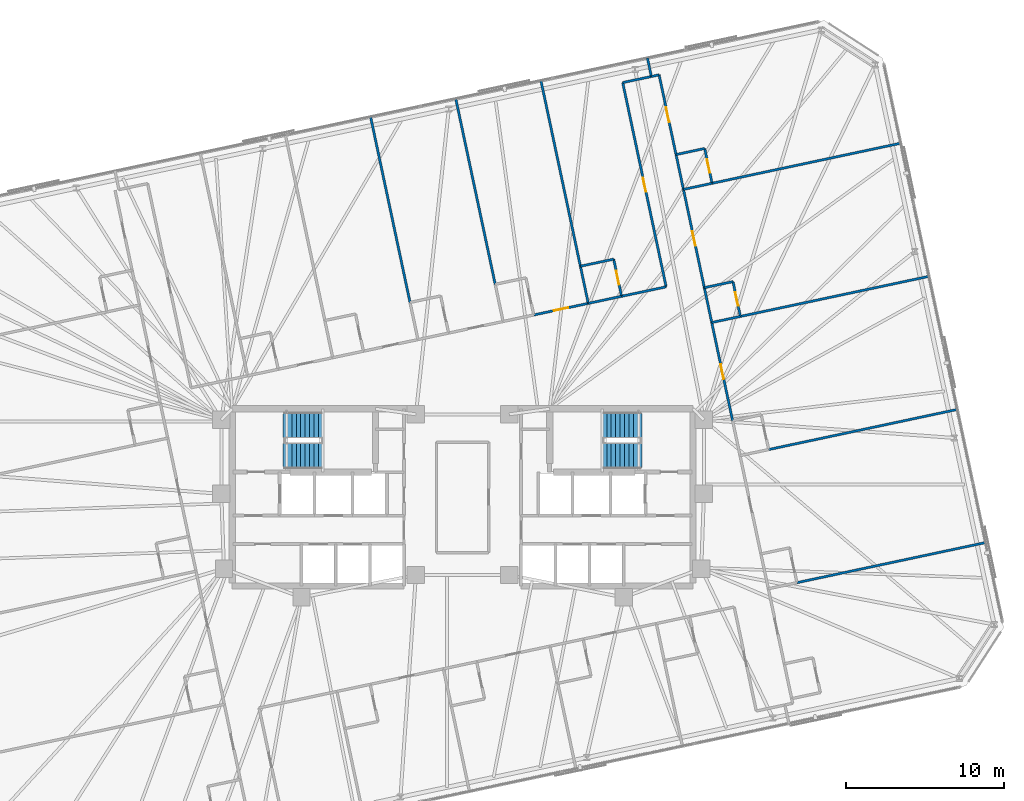
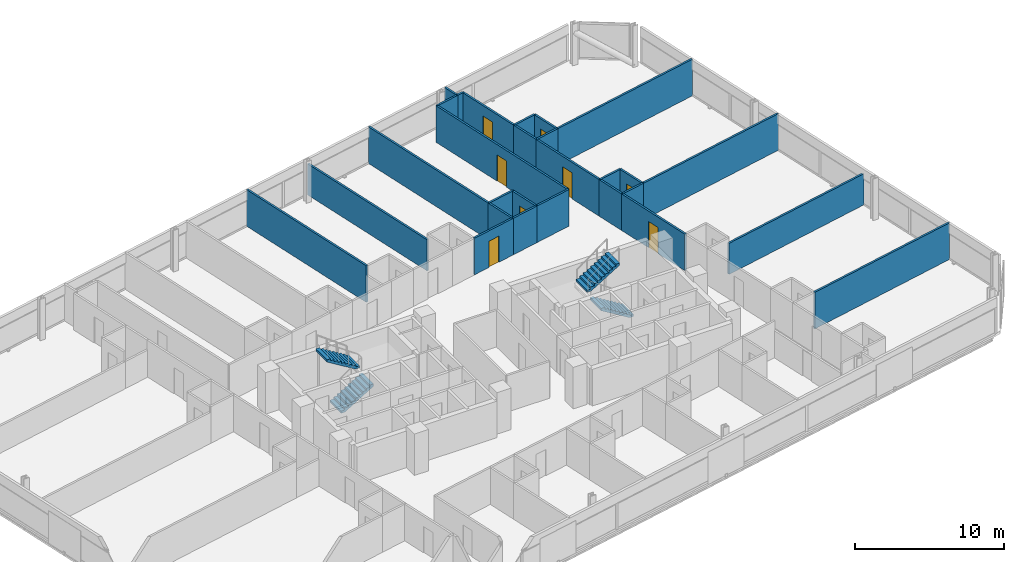
# One storey, part 18 of 20: 28 walls, 8 doors, 4 stair flights, 8 openings, 2 elements without a shape of their own.
"""IFC4 building model written with IfcOpenShell, lengths in metres."""

from ifc_helpers import new_model, si_unit, direction, frame, frame_2d, origin, place, context, subcontext, project, spatial, polyline, rectangle, outline, extrude, material, layer, layer_set, type_object, element, fill, aggregate, save


model = new_model("IFC4")

# Units and contexts
model_context = context("Model", 3, precision=1e-05, world=origin(), true_north=direction((0.0, 1.0)))
body_context = subcontext(model_context, "Body", "Model", "MODEL_VIEW")
ifc_project = project(units=[si_unit("LENGTHUNIT", "METRE"), si_unit("AREAUNIT", "SQUARE_METRE"), si_unit("VOLUMEUNIT", "CUBIC_METRE"), si_unit("PLANEANGLEUNIT", "RADIAN"), si_unit("MASSUNIT", "GRAM", prefix="KILO")], contexts=[model_context])

# Site, building, storey
site_placement = place(None, origin())
site = spatial("IfcSite", under=ifc_project, at=site_placement, CompositionType="ELEMENT")
building_placement = place(site_placement, origin())
building = spatial("IfcBuilding", under=site, at=building_placement, Name="Menara Jurai Vektor", CompositionType="ELEMENT")
storey_placement = place(building_placement, frame((0.0, 0.0, 199.0)))
storey = spatial("IfcBuildingStorey", under=building, at=storey_placement, Name="L52", CompositionType="ELEMENT", Elevation=199.0)

# Wall, opening, door
ifc_material_1 = material(Name="Gypsum Fireboard Partition", Category="gypsum")
ifc_layer_1 = layer(ifc_material_1, 0.14990234375)
ifc_layer_set_1 = layer_set([ifc_layer_1], Name="Gypsum Fireboard Partition")
wall_type_1 = type_object("IfcWallType", Name="INT-WALL-CORR-150", PredefinedType="PARTITIONING", material=ifc_layer_set_1)
wall_1_placement = place(storey_placement, frame((4.497802734375, 11.52978515625, 0.0), z_axis=(0.0, 0.0, 1.0), x_axis=(0.978135941404, 0.207966536089, 0.0)))
wall_1 = element("IfcWall", 1, at=wall_1_placement, inside=storey, type_object=wall_type_1, Name="Interior Wall IW-150 L52", PredefinedType="PARTITIONING", context=body_context, shape_type="SweptSolid", body=[
    extrude(rectangle(XDim=3.521728515625, YDim=0.14990234375, at=frame_2d((1.7607421875, 0.0))), origin(), (0.0, 0.0, 1.0), 3.0),
])
opening_1_placement = place(wall_1_placement, frame((1.301025390625, 0.0, 0.0)))
opening_1 = element("IfcOpeningElement", 2, at=opening_1_placement, cuts=wall_1, Name="Opening D52-14", PredefinedType="OPENING", context=body_context, shape_type="SweptSolid", body=[
    extrude(rectangle(XDim=0.919921875, YDim=2.14990234375, at=frame_2d((0.4599609375, 1.074951171875))), frame((0.0, 0.0849609375, 0.0), z_axis=(0.0, -1.0, 0.0), x_axis=(1.0, 0.0, 0.0)), (0.0, 0.0, 1.0), 0.169921875),
])
ifc_material_2 = material(Name="Solid Core Timber Fire Door", Category="wood")
door_type_1 = type_object("IfcDoorType", Name="DR-ENTRY-950", OperationType="NOTDEFINED", PredefinedType="DOOR", material=ifc_material_2)
door_1_placement = place(opening_1_placement, origin())
door_1 = element("IfcDoor", 3, at=door_1_placement, inside=storey, type_object=door_type_1, Name="Interior Door D52-14", OperationType="SINGLE_SWING_LEFT", OverallHeight=2.14990234375, OverallWidth=0.919921875, PredefinedType="DOOR", context=body_context, shape_type="SweptSolid", body=[
    extrude(rectangle(XDim=0.919921875, YDim=2.14990234375, at=frame_2d((0.4599609375, 1.074951171875))), frame((0.0, 0.02490234375, 0.0), z_axis=(0.0, -1.0, 0.0), x_axis=(1.0, 0.0, 0.0)), (0.0, 0.0, 1.0), 0.050048828125),
])
fill(opening_1, door_1)

# Wall
wall_2_placement = place(storey_placement, frame((10.045654296875, 12.709228515625, 0.0), z_axis=(0.0, 0.0, 1.0), x_axis=(0.97816208355, 0.207843542851, 0.0)))
element("IfcWall", 4, at=wall_2_placement, inside=storey, type_object=wall_type_1, Name="Interior Wall IW-150 L52", PredefinedType="PARTITIONING", context=body_context, shape_type="SweptSolid", body=[
    extrude(rectangle(XDim=2.879150390625, YDim=0.14990234375, at=frame_2d((1.439453125, 0.0))), origin(), (0.0, 0.0, 1.0), 3.0),
])

# Wall, opening, door
wall_3_placement = place(storey_placement, frame((12.86181640625, 13.3076171875, 0.0), z_axis=(0.0, 0.0, 1.0), x_axis=(-0.207911421929, 0.978147657888, 0.0)))
wall_3 = element("IfcWall", 5, at=wall_3_placement, inside=storey, type_object=wall_type_1, Name="Interior Wall IW-150 L52", PredefinedType="PARTITIONING", context=body_context, shape_type="SweptSolid", body=[
    extrude(rectangle(XDim=13.195068359375, YDim=0.14990234375, at=frame_2d((6.59765625, 0.0))), origin(), (0.0, 0.0, 1.0), 3.0),
])
opening_2_placement = place(wall_3_placement, frame((6.137451171875, 0.0, 0.0)))
opening_2 = element("IfcOpeningElement", 6, at=opening_2_placement, cuts=wall_3, Name="Opening D52-16", PredefinedType="OPENING", context=body_context, shape_type="SweptSolid", body=[
    extrude(rectangle(XDim=0.919921875, YDim=2.14990234375, at=frame_2d((0.4599609375, 1.074951171875))), frame((0.0, 0.0849609375, 0.0), z_axis=(0.0, -1.0, 0.0), x_axis=(1.0, 0.0, 0.0)), (0.0, 0.0, 1.0), 0.169921875),
])
door_2_placement = place(opening_2_placement, origin())
door_2 = element("IfcDoor", 7, at=door_2_placement, inside=storey, type_object=door_type_1, Name="Interior Door D52-16", OperationType="SINGLE_SWING_LEFT", OverallHeight=2.14990234375, OverallWidth=0.919921875, PredefinedType="DOOR", context=body_context, shape_type="SweptSolid", body=[
    extrude(rectangle(XDim=0.919921875, YDim=2.14990234375, at=frame_2d((0.4599609375, 1.074951171875))), frame((0.0, 0.02490234375, 0.0), z_axis=(0.0, -1.0, 0.0), x_axis=(1.0, 0.0, 0.0)), (0.0, 0.0, 1.0), 0.050048828125),
])
fill(opening_2, door_2)

# Walls
wall_4_placement = place(storey_placement, frame((10.118408203125, 26.21435546875, 0.0), z_axis=(0.0, 0.0, 1.0), x_axis=(0.978133353907, 0.20797870558, 0.0)))
element("IfcWall", 8, at=wall_4_placement, inside=storey, type_object=wall_type_1, Name="Interior Wall IW-150 L52", PredefinedType="PARTITIONING", context=body_context, shape_type="SweptSolid", body=[
    extrude(rectangle(XDim=1.85009765625, YDim=0.14990234375, at=frame_2d((0.925048828125, 0.0))), origin(), (0.0, 0.0, 1.0), 3.0),
])
wall_5_placement = place(storey_placement, frame((7.942626953125, 12.26220703125, 0.0), z_axis=(0.0, 0.0, 1.0), x_axis=(0.978146728319, 0.207915795165, 0.0)))
element("IfcWall", 9, at=wall_5_placement, inside=storey, type_object=wall_type_1, Name="Interior Wall IW-150 L52", PredefinedType="PARTITIONING", context=body_context, shape_type="SweptSolid", body=[
    extrude(rectangle(XDim=2.14990234375, YDim=0.14990234375, at=frame_2d((1.074951171875, 0.0))), origin(), (0.0, 0.0, 1.0), 3.0),
])

# Wall, opening, door
wall_6_placement = place(storey_placement, frame((17.06396484375, 4.84130859375, 0.0), z_axis=(0.0, 0.0, 1.0), x_axis=(-0.207924511115, 0.978144875608, 0.0)))
wall_6 = element("IfcWall", 10, at=wall_6_placement, inside=storey, type_object=wall_type_1, Name="Interior Wall IW-150 L52", PredefinedType="PARTITIONING", context=body_context, shape_type="SweptSolid", body=[
    extrude(rectangle(XDim=6.349853515625, YDim=0.14990234375, at=frame_2d((3.1748046875, 0.0))), origin(), (0.0, 0.0, 1.0), 3.0),
])
opening_3_placement = place(wall_6_placement, frame((2.699951171875, 0.0, 0.0)))
opening_3 = element("IfcOpeningElement", 11, at=opening_3_placement, cuts=wall_6, Name="Opening D52-41", PredefinedType="OPENING", context=body_context, shape_type="SweptSolid", body=[
    extrude(rectangle(XDim=0.949951171875, YDim=2.14990234375, at=frame_2d((0.47509765625, 1.074951171875))), frame((0.0, 0.0849609375, 0.0), z_axis=(0.0, -1.0, 0.0), x_axis=(1.0, 0.0, 0.0)), (0.0, 0.0, 1.0), 0.169921875),
])
door_3_placement = place(opening_3_placement, origin())
door_3 = element("IfcDoor", 12, at=door_3_placement, inside=storey, type_object=door_type_1, Name="Interior Door D52-41", OperationType="SINGLE_SWING_RIGHT", OverallHeight=2.14990234375, OverallWidth=0.949951171875, PredefinedType="DOOR", context=body_context, shape_type="SweptSolid", body=[
    extrude(rectangle(XDim=0.949951171875, YDim=2.14990234375, at=frame_2d((0.47509765625, 1.074951171875))), frame((0.0, 0.02490234375, 0.0), z_axis=(0.0, -1.0, 0.0), x_axis=(1.0, 0.0, 0.0)), (0.0, 0.0, 1.0), 0.050048828125),
])
fill(opening_3, door_3)

wall_7_placement = place(storey_placement, frame((15.27587890625, 13.25341796875, 0.0), z_axis=(0.0, 0.0, 1.0), x_axis=(-0.207924511115, 0.978144875608, 0.0)))
wall_7 = element("IfcWall", 13, at=wall_7_placement, inside=storey, type_object=wall_type_1, Name="Interior Wall IW-150 L52", PredefinedType="PARTITIONING", context=body_context, shape_type="SweptSolid", body=[
    extrude(rectangle(XDim=6.349853515625, YDim=0.14990234375, at=frame_2d((3.1748046875, 0.0))), origin(), (0.0, 0.0, 1.0), 3.0),
])
opening_4_placement = place(wall_7_placement, frame((2.699951171875, 0.0, 0.0)))
opening_4 = element("IfcOpeningElement", 14, at=opening_4_placement, cuts=wall_7, Name="Opening D52-43", PredefinedType="OPENING", context=body_context, shape_type="SweptSolid", body=[
    extrude(rectangle(XDim=0.949951171875, YDim=2.14990234375, at=frame_2d((0.47509765625, 1.074951171875))), frame((0.0, 0.0849609375, 0.0), z_axis=(0.0, -1.0, 0.0), x_axis=(1.0, 0.0, 0.0)), (0.0, 0.0, 1.0), 0.169921875),
])
door_4_placement = place(opening_4_placement, origin())
door_4 = element("IfcDoor", 15, at=door_4_placement, inside=storey, type_object=door_type_1, Name="Interior Door D52-43", OperationType="SINGLE_SWING_RIGHT", OverallHeight=2.14990234375, OverallWidth=0.949951171875, PredefinedType="DOOR", context=body_context, shape_type="SweptSolid", body=[
    extrude(rectangle(XDim=0.949951171875, YDim=2.14990234375, at=frame_2d((0.47509765625, 1.074951171875))), frame((0.0, 0.02490234375, 0.0), z_axis=(0.0, -1.0, 0.0), x_axis=(1.0, 0.0, 0.0)), (0.0, 0.0, 1.0), 0.050048828125),
])
fill(opening_4, door_4)

# Walls
wall_8_placement = place(storey_placement, frame((15.74365234375, 11.052490234375, 0.0), z_axis=(0.0, 0.0, 1.0), x_axis=(-0.207891197838, 0.978151956427, 0.0)))
element("IfcWall", 16, at=wall_8_placement, inside=storey, type_object=wall_type_1, Name="Interior Wall IW-150 L52", PredefinedType="PARTITIONING", context=body_context, shape_type="SweptSolid", body=[
    extrude(rectangle(XDim=2.25, YDim=0.14990234375, at=frame_2d((1.125, 0.0))), origin(), (0.0, 0.0, 1.0), 3.0),
])
wall_9_placement = place(storey_placement, frame((11.927978515625, 26.59912109375, 0.0), z_axis=(0.0, 0.0, 1.0), x_axis=(0.97822210712, 0.207560856478, 0.0)))
element("IfcWall", 17, at=wall_9_placement, inside=storey, type_object=wall_type_1, Name="Interior Wall IW-150 L52", PredefinedType="PARTITIONING", context=body_context, shape_type="SweptSolid", body=[
    extrude(rectangle(XDim=0.5, YDim=0.14990234375, at=frame_2d((0.25, 0.0))), origin(), (0.0, 0.0, 1.0), 3.0),
])

# Wall, opening, door
wall_10_placement = place(storey_placement, frame((13.48779296875, 21.66552734375, 0.0), z_axis=(0.0, 0.0, 1.0), x_axis=(-0.207926226209, 0.978144511028, 0.0)))
wall_10 = element("IfcWall", 18, at=wall_10_placement, inside=storey, type_object=wall_type_1, Name="Interior Wall IW-150 L52", PredefinedType="PARTITIONING", context=body_context, shape_type="SweptSolid", body=[
    extrude(rectangle(XDim=5.14990234375, YDim=0.14990234375, at=frame_2d((2.574951171875, 0.0))), origin(), (0.0, 0.0, 1.0), 3.0),
])
opening_5_placement = place(wall_10_placement, frame((2.10009765625, 0.0, 0.0)))
opening_5 = element("IfcOpeningElement", 19, at=opening_5_placement, cuts=wall_10, Name="Opening D52-45", PredefinedType="OPENING", context=body_context, shape_type="SweptSolid", body=[
    extrude(rectangle(XDim=0.949951171875, YDim=2.14990234375, at=frame_2d((0.47509765625, 1.074951171875))), frame((0.0, 0.0849609375, 0.0), z_axis=(0.0, -1.0, 0.0), x_axis=(1.0, 0.0, 0.0)), (0.0, 0.0, 1.0), 0.169921875),
])
door_5_placement = place(opening_5_placement, origin())
door_5 = element("IfcDoor", 20, at=door_5_placement, inside=storey, type_object=door_type_1, Name="Interior Door D52-45", OperationType="SINGLE_SWING_RIGHT", OverallHeight=2.14990234375, OverallWidth=0.949951171875, PredefinedType="DOOR", context=body_context, shape_type="SweptSolid", body=[
    extrude(rectangle(XDim=0.949951171875, YDim=2.14990234375, at=frame_2d((0.47509765625, 1.074951171875))), frame((0.0, 0.02490234375, 0.0), z_axis=(0.0, -1.0, 0.0), x_axis=(1.0, 0.0, 0.0)), (0.0, 0.0, 1.0), 0.050048828125),
])
fill(opening_5, door_5)

# Walls
wall_11_placement = place(storey_placement, frame((13.95556640625, 19.464599609375, 0.0), z_axis=(0.0, 0.0, 1.0), x_axis=(-0.207891197838, 0.978151956427, 0.0)))
element("IfcWall", 21, at=wall_11_placement, inside=storey, type_object=wall_type_1, Name="Interior Wall IW-150 L52", PredefinedType="PARTITIONING", context=body_context, shape_type="SweptSolid", body=[
    extrude(rectangle(XDim=2.25, YDim=0.14990234375, at=frame_2d((1.125, 0.0))), origin(), (0.0, 0.0, 1.0), 3.0),
])
for number, where, z_axis, x_axis, name in (
    (22, (-3.32177734375, 12.3212890625, 0.0), (0.0, 0.0, 1.0), (-0.207910848762, 0.978147779718, 0.0), "Interior Wall IW-150 L52"),
    (23, (7.443603515625, 14.609619140625, 0.0), (0.0, 0.0, 1.0), (-0.207910848762, 0.978147779718, 0.0), "Interior Wall IW-150 L52"),
):
    element("IfcWall", number, at=place(storey_placement, frame(where, z_axis=z_axis, x_axis=x_axis)), inside=storey, type_object=wall_type_1, Name=name, PredefinedType="PARTITIONING", context=body_context, shape_type="SweptSolid", body=[
        extrude(rectangle(XDim=11.9951171875, YDim=0.14990234375, at=frame_2d((5.99755859375, 0.0))), origin(), (0.0, 0.0, 1.0), 3.0),
    ])
wall_12_placement = place(storey_placement, frame((7.942626953125, 12.26220703125, 0.0), z_axis=(0.0, 0.0, 1.0), x_axis=(-0.207937840262, 0.978142042133, 0.0)))
element("IfcWall", 24, at=wall_12_placement, inside=storey, type_object=wall_type_1, Name="Interior Wall IW-150 L52", PredefinedType="PARTITIONING", context=body_context, shape_type="SweptSolid", body=[
    extrude(rectangle(XDim=2.39990234375, YDim=0.14990234375, at=frame_2d((1.199951171875, 0.0))), origin(), (0.0, 0.0, 1.0), 3.0),
])
wall_13_placement = place(storey_placement, frame((7.443603515625, 14.609619140625, 0.0), z_axis=(0.0, 0.0, 1.0), x_axis=(0.978151636287, 0.207892704126, 0.0)))
element("IfcWall", 25, at=wall_13_placement, inside=storey, type_object=wall_type_1, Name="Interior Wall IW-150 L52", PredefinedType="PARTITIONING", context=body_context, shape_type="SweptSolid", body=[
    extrude(rectangle(XDim=2.150146484375, YDim=0.14990234375, at=frame_2d((1.0751953125, 0.0))), origin(), (0.0, 0.0, 1.0), 3.0),
])

# Wall, opening, door
wall_14_placement = place(storey_placement, frame((10.045654296875, 12.709228515625, 0.0), z_axis=(0.0, 0.0, 1.0), x_axis=(-0.207840504985, 0.978162729042, 0.0)))
wall_14 = element("IfcWall", 26, at=wall_14_placement, inside=storey, type_object=wall_type_1, Name="Interior Wall IW-150 L52", PredefinedType="PARTITIONING", context=body_context, shape_type="SweptSolid", body=[
    extrude(rectangle(XDim=2.39990234375, YDim=0.14990234375, at=frame_2d((1.199951171875, 0.0))), origin(), (0.0, 0.0, 1.0), 3.0),
])
opening_6_placement = place(wall_14_placement, frame((0.760009765625, 0.0, 0.0)))
opening_6 = element("IfcOpeningElement", 27, at=opening_6_placement, cuts=wall_14, Name="Opening D52-17", PredefinedType="OPENING", context=body_context, shape_type="SweptSolid", body=[
    extrude(rectangle(XDim=0.8798828125, YDim=2.14990234375, at=frame_2d((0.43994140625, 1.074951171875))), frame((0.0, 0.0849609375, 0.0), z_axis=(0.0, -1.0, 0.0), x_axis=(1.0, 0.0, 0.0)), (0.0, 0.0, 1.0), 0.169921875),
])
ifc_material_3 = material(Name="Moisture-Resistant Timber Door", Category="wood")
door_type_2 = type_object("IfcDoorType", Name="DR-BATH-880", OperationType="NOTDEFINED", PredefinedType="DOOR", material=ifc_material_3)
door_6_placement = place(opening_6_placement, origin())
door_6 = element("IfcDoor", 28, at=door_6_placement, inside=storey, type_object=door_type_2, Name="Interior Door D52-17", OperationType="SINGLE_SWING_RIGHT", OverallHeight=2.14990234375, OverallWidth=0.8798828125, PredefinedType="DOOR", context=body_context, shape_type="SweptSolid", body=[
    extrude(rectangle(XDim=0.8798828125, YDim=2.14990234375, at=frame_2d((0.43994140625, 1.074951171875))), frame((0.0, 0.02490234375, 0.0), z_axis=(0.0, -1.0, 0.0), x_axis=(1.0, 0.0, 0.0)), (0.0, 0.0, 1.0), 0.050048828125),
])
fill(opening_6, door_6)

# Walls
wall_15_placement = place(storey_placement, frame((11.927978515625, 26.59912109375, 0.0), z_axis=(0.0, 0.0, 1.0), x_axis=(-0.20795853359, 0.978137642823, 0.0)))
element("IfcWall", 29, at=wall_15_placement, inside=storey, type_object=wall_type_1, Name="Interior Wall IW-150 L52", PredefinedType="PARTITIONING", context=body_context, shape_type="SweptSolid", body=[
    extrude(rectangle(XDim=1.19970703125, YDim=0.14990234375, at=frame_2d((0.599853515625, 0.0))), origin(), (0.0, 0.0, 1.0), 3.0),
])
for number, where, z_axis, x_axis, name in (
    (30, (21.12939453125, -5.386962890625, 0.0), (0.0, 0.0, 1.0), (0.97814556055, 0.207921288896, 0.0), "Interior Wall IW-150 L52"),
    (31, (17.55322265625, 11.437255859375, 0.0), (0.0, 0.0, 1.0), (0.97814556055, 0.207921288896, 0.0), "Interior Wall IW-150 L52"),
):
    element("IfcWall", number, at=place(storey_placement, frame(where, z_axis=z_axis, x_axis=x_axis)), inside=storey, type_object=wall_type_1, Name=name, PredefinedType="PARTITIONING", context=body_context, shape_type="SweptSolid", body=[
        extrude(rectangle(XDim=12.18701171875, YDim=0.14990234375, at=frame_2d((6.093505859375, 0.0))), origin(), (0.0, 0.0, 1.0), 3.0),
    ])
for number, where, z_axis, x_axis, name in (
    (32, (15.74365234375, 11.052490234375, 0.0), (0.0, 0.0, 1.0), (0.978133353907, 0.20797870558, 0.0), "Interior Wall IW-150 L52"),
    (33, (15.27587890625, 13.25341796875, 0.0), (0.0, 0.0, 1.0), (0.978133353907, 0.20797870558, 0.0), "Interior Wall IW-150 L52"),
):
    element("IfcWall", number, at=place(storey_placement, frame(where, z_axis=z_axis, x_axis=x_axis)), inside=storey, type_object=wall_type_1, Name=name, PredefinedType="PARTITIONING", context=body_context, shape_type="SweptSolid", body=[
        extrude(rectangle(XDim=1.85009765625, YDim=0.14990234375, at=frame_2d((0.925048828125, 0.0))), origin(), (0.0, 0.0, 1.0), 3.0),
    ])

# Wall, opening, door
wall_16_placement = place(storey_placement, frame((17.55322265625, 11.437255859375, 0.0), z_axis=(0.0, 0.0, 1.0), x_axis=(-0.207891197838, 0.978151956427, 0.0)))
wall_16 = element("IfcWall", 34, at=wall_16_placement, inside=storey, type_object=wall_type_1, Name="Interior Wall IW-150 L52", PredefinedType="PARTITIONING", context=body_context, shape_type="SweptSolid", body=[
    extrude(rectangle(XDim=2.25, YDim=0.14990234375, at=frame_2d((1.125, 0.0))), origin(), (0.0, 0.0, 1.0), 3.0),
])
opening_7_placement = place(wall_16_placement, frame((0.68505859375, 0.0, 0.0)))
opening_7 = element("IfcOpeningElement", 35, at=opening_7_placement, cuts=wall_16, Name="Opening D52-44", PredefinedType="OPENING", context=body_context, shape_type="SweptSolid", body=[
    extrude(rectangle(XDim=0.8798828125, YDim=2.14990234375, at=frame_2d((0.43994140625, 1.074951171875))), frame((0.0, 0.0849609375, 0.0), z_axis=(0.0, -1.0, 0.0), x_axis=(1.0, 0.0, 0.0)), (0.0, 0.0, 1.0), 0.169921875),
])
door_7_placement = place(opening_7_placement, origin())
door_7 = element("IfcDoor", 36, at=door_7_placement, inside=storey, type_object=door_type_2, Name="Interior Door D52-44", OperationType="SINGLE_SWING_LEFT", OverallHeight=2.14990234375, OverallWidth=0.8798828125, PredefinedType="DOOR", context=body_context, shape_type="SweptSolid", body=[
    extrude(rectangle(XDim=0.8798828125, YDim=2.14990234375, at=frame_2d((0.43994140625, 1.074951171875))), frame((0.0, 0.02490234375, 0.0), z_axis=(0.0, -1.0, 0.0), x_axis=(1.0, 0.0, 0.0)), (0.0, 0.0, 1.0), 0.050048828125),
])
fill(opening_7, door_7)

# Walls
wall_17_placement = place(storey_placement, frame((15.76513671875, 19.849365234375, 0.0), z_axis=(0.0, 0.0, 1.0), x_axis=(0.978149634612, 0.207902121941, 0.0)))
element("IfcWall", 37, at=wall_17_placement, inside=storey, type_object=wall_type_1, Name="Interior Wall IW-150 L52", PredefinedType="PARTITIONING", context=body_context, shape_type="SweptSolid", body=[
    extrude(rectangle(XDim=12.18701171875, YDim=0.14990234375, at=frame_2d((6.093505859375, 0.0))), origin(), (0.0, 0.0, 1.0), 3.0),
])
for number, where, z_axis, x_axis, name in (
    (38, (13.95556640625, 19.464599609375, 0.0), (0.0, 0.0, 1.0), (0.978133353907, 0.20797870558, 0.0), "Interior Wall IW-150 L52"),
    (39, (13.48779296875, 21.66552734375, 0.0), (0.0, 0.0, 1.0), (0.978133353907, 0.20797870558, 0.0), "Interior Wall IW-150 L52"),
):
    element("IfcWall", number, at=place(storey_placement, frame(where, z_axis=z_axis, x_axis=x_axis)), inside=storey, type_object=wall_type_1, Name=name, PredefinedType="PARTITIONING", context=body_context, shape_type="SweptSolid", body=[
        extrude(rectangle(XDim=1.85009765625, YDim=0.14990234375, at=frame_2d((0.925048828125, 0.0))), origin(), (0.0, 0.0, 1.0), 3.0),
    ])

# Wall, opening, door
wall_18_placement = place(storey_placement, frame((15.76513671875, 19.849365234375, 0.0), z_axis=(0.0, 0.0, 1.0), x_axis=(-0.207891197838, 0.978151956427, 0.0)))
wall_18 = element("IfcWall", 40, at=wall_18_placement, inside=storey, type_object=wall_type_1, Name="Interior Wall IW-150 L52", PredefinedType="PARTITIONING", context=body_context, shape_type="SweptSolid", body=[
    extrude(rectangle(XDim=2.25, YDim=0.14990234375, at=frame_2d((1.125, 0.0))), origin(), (0.0, 0.0, 1.0), 3.0),
])
opening_8_placement = place(wall_18_placement, frame((0.68505859375, 0.0, 0.0)))
opening_8 = element("IfcOpeningElement", 41, at=opening_8_placement, cuts=wall_18, Name="Opening D52-46", PredefinedType="OPENING", context=body_context, shape_type="SweptSolid", body=[
    extrude(rectangle(XDim=0.8798828125, YDim=2.14990234375, at=frame_2d((0.43994140625, 1.074951171875))), frame((0.0, 0.0849609375, 0.0), z_axis=(0.0, -1.0, 0.0), x_axis=(1.0, 0.0, 0.0)), (0.0, 0.0, 1.0), 0.169921875),
])
door_8_placement = place(opening_8_placement, origin())
door_8 = element("IfcDoor", 42, at=door_8_placement, inside=storey, type_object=door_type_2, Name="Interior Door D52-46", OperationType="SINGLE_SWING_LEFT", OverallHeight=2.14990234375, OverallWidth=0.8798828125, PredefinedType="DOOR", context=body_context, shape_type="SweptSolid", body=[
    extrude(rectangle(XDim=0.8798828125, YDim=2.14990234375, at=frame_2d((0.43994140625, 1.074951171875))), frame((0.0, 0.02490234375, 0.0), z_axis=(0.0, -1.0, 0.0), x_axis=(1.0, 0.0, 0.0)), (0.0, 0.0, 1.0), 0.050048828125),
])
fill(opening_8, door_8)

# Walls
ifc_layer_2 = layer(ifc_material_1, 0.14990234375)
ifc_layer_set_2 = layer_set([ifc_layer_2], Name="Gypsum Fireboard Partition")
wall_type_2 = type_object("IfcWallType", Name="INT-WALL-CORR-150-H1", PredefinedType="PARTITIONING", material=ifc_layer_set_2)
wall_19_placement = place(storey_placement, frame((2.06103515625, 13.465576171875, 0.0), z_axis=(0.0, 0.0, 1.0), x_axis=(-0.207910848762, 0.978147779718, 0.0)))
element("IfcWall", 43, at=wall_19_placement, inside=storey, type_object=wall_type_2, Name="Interior Wall IW-150 L52", PredefinedType="PARTITIONING", context=body_context, shape_type="SweptSolid", body=[
    extrude(rectangle(XDim=11.9951171875, YDim=0.14990234375, at=frame_2d((5.99755859375, 0.0))), origin(), (0.0, 0.0, 1.0), 2.550048828125),
])
wall_20_placement = place(storey_placement, frame((19.34130859375, 3.025146484375, 0.0), z_axis=(0.0, 0.0, 1.0), x_axis=(0.97814556055, 0.207921288896, 0.0)))
element("IfcWall", 44, at=wall_20_placement, inside=storey, type_object=wall_type_2, Name="Interior Wall IW-150 L52", PredefinedType="PARTITIONING", context=body_context, shape_type="SweptSolid", body=[
    extrude(rectangle(XDim=12.18701171875, YDim=0.14990234375, at=frame_2d((6.093505859375, 0.0))), origin(), (0.0, 0.0, 1.0), 2.550048828125),
])

# Stair, stair flights
ifc_material_4 = material(Name="Concrete C40/50", Category="concrete")
stair_type = type_object("IfcStairType", Name="STAIR-DOGLEG-1500", PredefinedType="HALF_TURN_STAIR", material=ifc_material_4)
stair_1_placement = place(storey_placement, origin())
stair_1 = element("IfcStair", 45, at=stair_1_placement, inside=storey, type_object=stair_type, Name="Protected Exit Stair ST1 L52", PredefinedType="HALF_TURN_STAIR")
stair_flight_type = type_object("IfcStairFlightType", Name="STAIR-FLIGHT-1500", PredefinedType="STRAIGHT", material=ifc_material_4)
stair_flight_1_placement = place(storey_placement, frame((-11.35009765625, 2.64990234375, 0.0), z_axis=(0.0, 0.0, 1.0), x_axis=(1.0, 0.0, 0.0)))
stair_flight_1 = element("IfcStairFlight", 46, at=stair_flight_1_placement, type_object=stair_flight_type, Name="ST1 flight 1", NumberOfRisers=10, NumberOfTreads=9, PredefinedType="STRAIGHT", RiserHeight=0.17, TreadLength=0.28, context=body_context, shape_type="SweptSolid", body=[
    extrude(outline(polyline([(0.0, 0.0), (0.0, 0.169921875), (0.280029296875, 0.169921875), (0.280029296875, 0.340087890625), (0.56005859375, 0.340087890625), (0.56005859375, 0.510009765625), (0.840087890625, 0.510009765625), (0.840087890625, 0.679931640625), (1.1201171875, 0.679931640625), (1.1201171875, 0.85009765625), (1.39990234375, 0.85009765625), (1.39990234375, 1.02001953125), (1.679931640625, 1.02001953125), (1.679931640625, 1.18994140625), (1.9599609375, 1.18994140625), (1.9599609375, 1.360107421875), (2.239990234375, 1.360107421875), (2.239990234375, 1.530029296875), (2.52001953125, 1.530029296875), (2.52001953125, 1.699951171875), (2.52001953125, 1.343017578125), (0.30810546875, 0.0), (0.0, 0.0)])), frame((0.0, 0.75, 0.0), z_axis=(0.0, -1.0, 0.0), x_axis=(1.0, 0.0, 0.0)), (0.0, 0.0, 1.0), 1.5),
])
stair_flight_2_placement = place(storey_placement, frame((-8.830078125, 4.550048828125, 1.699951171875), z_axis=(0.0, 0.0, 1.0), x_axis=(-1.0, 0.0, 0.0)))
stair_flight_2 = element("IfcStairFlight", 47, at=stair_flight_2_placement, type_object=stair_flight_type, Name="ST1 flight 2", NumberOfRisers=10, NumberOfTreads=9, PredefinedType="STRAIGHT", RiserHeight=0.17, TreadLength=0.28, context=body_context, shape_type="SweptSolid", body=[
    extrude(outline(polyline([(0.0, 0.0), (0.0, 0.169921875), (0.280029296875, 0.169921875), (0.280029296875, 0.340087890625), (0.56005859375, 0.340087890625), (0.56005859375, 0.510009765625), (0.840087890625, 0.510009765625), (0.840087890625, 0.679931640625), (1.1201171875, 0.679931640625), (1.1201171875, 0.85009765625), (1.39990234375, 0.85009765625), (1.39990234375, 1.02001953125), (1.679931640625, 1.02001953125), (1.679931640625, 1.18994140625), (1.9599609375, 1.18994140625), (1.9599609375, 1.360107421875), (2.239990234375, 1.360107421875), (2.239990234375, 1.530029296875), (2.52001953125, 1.530029296875), (2.52001953125, 1.699951171875), (2.52001953125, 1.343017578125), (0.30810546875, 0.0), (0.0, 0.0)])), frame((0.0, 0.75, 0.0), z_axis=(0.0, -1.0, 0.0), x_axis=(1.0, 0.0, 0.0)), (0.0, 0.0, 1.0), 1.5),
])
aggregate(stair_1, [stair_flight_1, stair_flight_2])

stair_2_placement = place(storey_placement, origin())
stair_2 = element("IfcStair", 48, at=stair_2_placement, inside=storey, type_object=stair_type, Name="Protected Exit Stair ST2 L52", PredefinedType="HALF_TURN_STAIR")
stair_flight_3_placement = place(storey_placement, frame((11.35009765625, 2.64990234375, 0.0), z_axis=(0.0, 0.0, 1.0), x_axis=(-1.0, 0.0, 0.0)))
stair_flight_3 = element("IfcStairFlight", 49, at=stair_flight_3_placement, type_object=stair_flight_type, Name="ST2 flight 1", NumberOfRisers=10, NumberOfTreads=9, PredefinedType="STRAIGHT", RiserHeight=0.17, TreadLength=0.28, context=body_context, shape_type="SweptSolid", body=[
    extrude(outline(polyline([(0.0, 0.0), (0.0, 0.169921875), (0.280029296875, 0.169921875), (0.280029296875, 0.340087890625), (0.56005859375, 0.340087890625), (0.56005859375, 0.510009765625), (0.840087890625, 0.510009765625), (0.840087890625, 0.679931640625), (1.1201171875, 0.679931640625), (1.1201171875, 0.85009765625), (1.39990234375, 0.85009765625), (1.39990234375, 1.02001953125), (1.679931640625, 1.02001953125), (1.679931640625, 1.18994140625), (1.9599609375, 1.18994140625), (1.9599609375, 1.360107421875), (2.239990234375, 1.360107421875), (2.239990234375, 1.530029296875), (2.52001953125, 1.530029296875), (2.52001953125, 1.699951171875), (2.52001953125, 1.343017578125), (0.30810546875, 0.0), (0.0, 0.0)])), frame((0.0, 0.75, 0.0), z_axis=(0.0, -1.0, 0.0), x_axis=(1.0, 0.0, 0.0)), (0.0, 0.0, 1.0), 1.5),
])
stair_flight_4_placement = place(storey_placement, frame((8.830078125, 4.550048828125, 1.699951171875), z_axis=(0.0, 0.0, 1.0), x_axis=(1.0, 0.0, 0.0)))
stair_flight_4 = element("IfcStairFlight", 50, at=stair_flight_4_placement, type_object=stair_flight_type, Name="ST2 flight 2", NumberOfRisers=10, NumberOfTreads=9, PredefinedType="STRAIGHT", RiserHeight=0.17, TreadLength=0.28, context=body_context, shape_type="SweptSolid", body=[
    extrude(outline(polyline([(0.0, 0.0), (0.0, 0.169921875), (0.280029296875, 0.169921875), (0.280029296875, 0.340087890625), (0.56005859375, 0.340087890625), (0.56005859375, 0.510009765625), (0.840087890625, 0.510009765625), (0.840087890625, 0.679931640625), (1.1201171875, 0.679931640625), (1.1201171875, 0.85009765625), (1.39990234375, 0.85009765625), (1.39990234375, 1.02001953125), (1.679931640625, 1.02001953125), (1.679931640625, 1.18994140625), (1.9599609375, 1.18994140625), (1.9599609375, 1.360107421875), (2.239990234375, 1.360107421875), (2.239990234375, 1.530029296875), (2.52001953125, 1.530029296875), (2.52001953125, 1.699951171875), (2.52001953125, 1.343017578125), (0.30810546875, 0.0), (0.0, 0.0)])), frame((0.0, 0.75, 0.0), z_axis=(0.0, -1.0, 0.0), x_axis=(1.0, 0.0, 0.0)), (0.0, 0.0, 1.0), 1.5),
])
aggregate(stair_2, [stair_flight_3, stair_flight_4])

save(model, "model.ifc")
